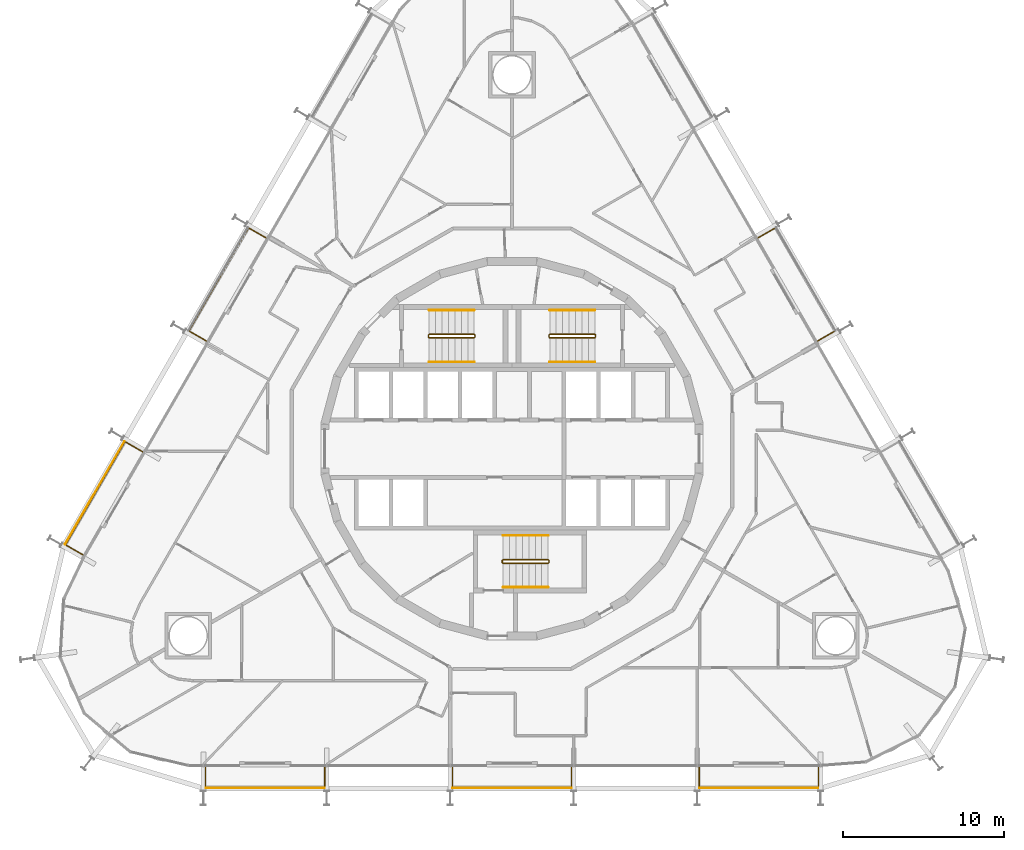
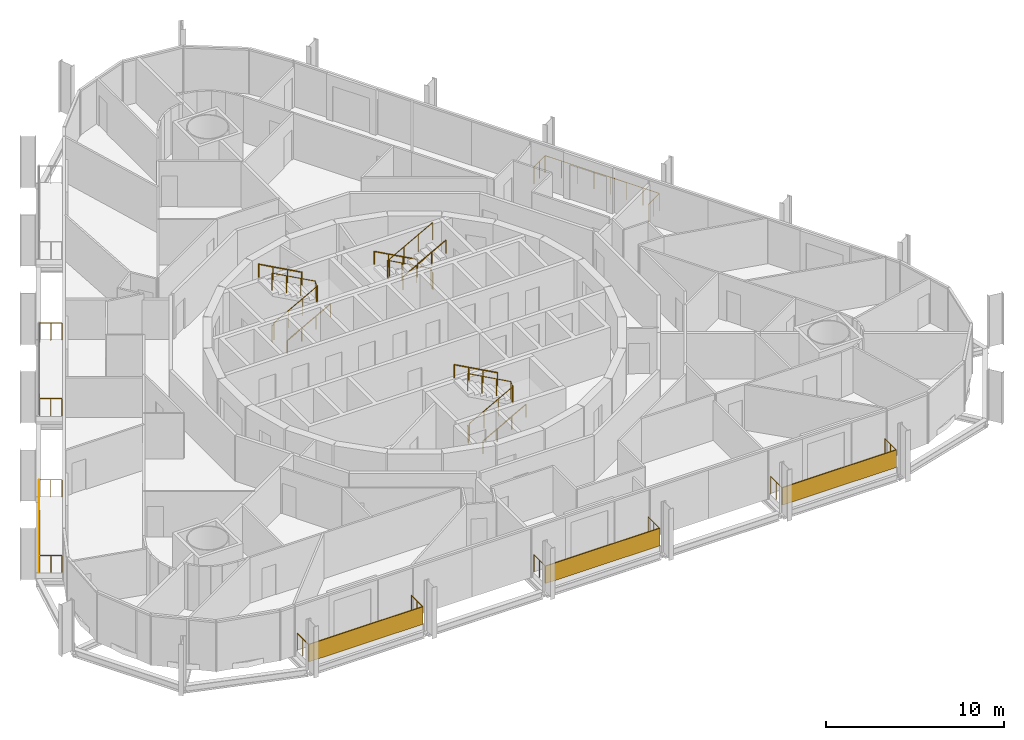
# One storey, part 20 of 21: 15 railings, 4 shading devices.
"""IFC4 building model written with IfcOpenShell, lengths in metres."""

from ifc_helpers import new_model, si_unit, direction, frame, origin, origin_2d, place, context, subcontext, project, spatial, rectangle, circle, extrude, material, layer, layer_set, type_object, element, save


model = new_model("IFC4")

# Units and contexts
model_context = context("Model", 3, precision=1e-05, world=origin(), true_north=direction((0.0, 1.0)))
body_context = subcontext(model_context, "Body", "Model", "MODEL_VIEW")
ifc_project = project(units=[si_unit("LENGTHUNIT", "METRE"), si_unit("AREAUNIT", "SQUARE_METRE"), si_unit("VOLUMEUNIT", "CUBIC_METRE"), si_unit("PLANEANGLEUNIT", "RADIAN"), si_unit("MASSUNIT", "GRAM", prefix="KILO")], contexts=[model_context])

# Site, building, storey
site_placement = place(None, origin())
site = spatial("IfcSite", under=ifc_project, at=site_placement, CompositionType="ELEMENT")
building_placement = place(site_placement, origin())
building = spatial("IfcBuilding", under=site, at=building_placement, Name="Spindle Arch Residences", CompositionType="ELEMENT")
storey_placement = place(building_placement, frame((0.0, 0.0, 48.89990234375)))
storey = spatial("IfcBuildingStorey", under=building, at=storey_placement, Name="L10", CompositionType="ELEMENT", Elevation=48.89990234375)

# Railings
ifc_material_1 = material(Name="Bronze anodised aluminium guard with glass infill", Category="aluminium")
railing_type_1 = type_object("IfcRailingType", Name="Balcony guard 1200", PredefinedType="GUARDRAIL", material=ifc_material_1)
railing_1_placement = place(storey_placement, frame((11.655029296875, -19.81982421875, 0.0)))
element("IfcRailing", 1, at=railing_1_placement, inside=storey, type_object=railing_type_1, Name="Guard L10 bay 2", PredefinedType="GUARDRAIL", context=body_context, shape_type="SweptSolid", body=[
    extrude(circle(Radius=0.02392578125, at=origin_2d()), frame((0.0, 0.0, 1.17578125), z_axis=(0.0, -1.0, 0.0), x_axis=(1.0, 0.0, 0.0)), (0.0, 0.0, 1.0), 1.25),
    extrude(circle(Radius=0.02392578125, at=origin_2d()), frame((0.0, -1.25, 1.17578125), z_axis=(1.0, 0.0, 0.0), x_axis=(0.0, 1.0, 0.0)), (0.0, 0.0, 1.0), 7.41015625),
    extrude(circle(Radius=0.02392578125, at=origin_2d()), frame((7.41015625, -1.25, 1.17578125), z_axis=(0.0, 1.0, 0.0), x_axis=(-1.0, 0.0, 0.0)), (0.0, 0.0, 1.0), 1.25),
    extrude(circle(Radius=0.02099609375, at=origin_2d()), origin(), (0.0, 0.0, 1.0), 1.15185546875),
    extrude(circle(Radius=0.02099609375, at=origin_2d()), frame((0.0, -0.625, 0.0)), (0.0, 0.0, 1.0), 1.15185546875),
    extrude(circle(Radius=0.02099609375, at=origin_2d()), frame((0.0, -1.25, 0.0)), (0.0, 0.0, 1.0), 1.15185546875),
    extrude(circle(Radius=0.02099609375, at=origin_2d()), frame((1.05859375, -1.25, 0.0)), (0.0, 0.0, 1.0), 1.15185546875),
    extrude(circle(Radius=0.02099609375, at=origin_2d()), frame((2.1171875, -1.25, 0.0)), (0.0, 0.0, 1.0), 1.15185546875),
    extrude(circle(Radius=0.02099609375, at=origin_2d()), frame((3.17578125, -1.25, 0.0)), (0.0, 0.0, 1.0), 1.15185546875),
    extrude(circle(Radius=0.02099609375, at=origin_2d()), frame((4.234375, -1.25, 0.0)), (0.0, 0.0, 1.0), 1.15185546875),
    extrude(circle(Radius=0.02099609375, at=origin_2d()), frame((5.29296875, -1.25, 0.0)), (0.0, 0.0, 1.0), 1.15185546875),
    extrude(circle(Radius=0.02099609375, at=origin_2d()), frame((6.3515625, -1.25, 0.0)), (0.0, 0.0, 1.0), 1.15185546875),
    extrude(circle(Radius=0.02099609375, at=origin_2d()), frame((7.41015625, -1.25, 0.0)), (0.0, 0.0, 1.0), 1.15185546875),
    extrude(circle(Radius=0.02099609375, at=origin_2d()), frame((7.41015625, -0.625, 0.0)), (0.0, 0.0, 1.0), 1.15185546875),
    extrude(circle(Radius=0.02099609375, at=origin_2d()), frame((7.41015625, 0.0, 0.0)), (0.0, 0.0, 1.0), 1.15185546875),
])
railing_2_placement = place(storey_placement, frame((19.01708984375, 6.701416015625, 0.0)))
element("IfcRailing", 2, at=railing_2_placement, inside=storey, type_object=railing_type_1, Name="Guard L10 bay 8", PredefinedType="GUARDRAIL", context=body_context, shape_type="SweptSolid", body=[
    extrude(circle(Radius=0.02392578125, at=origin_2d()), frame((0.0, 0.0, 1.17578125), z_axis=(0.866022959057, 0.500004234368, 0.0), x_axis=(-0.500004234368, 0.866022959057, 0.0)), (0.0, 0.0, 1.0), 1.25),
    extrude(circle(Radius=0.02392578125, at=origin_2d()), frame((1.08251953125, 0.625, 1.17578125), z_axis=(-0.500008603535, 0.866020436474, 0.0), x_axis=(-0.866020436474, -0.500008603535, 0.0)), (0.0, 0.0, 1.0), 7.409912109375),
    extrude(circle(Radius=0.02392578125, at=origin_2d()), frame((-2.62255859375, 7.042236328125, 1.17578125), z_axis=(-0.866022959057, -0.500004234368, 0.0), x_axis=(0.500004234368, -0.866022959057, 0.0)), (0.0, 0.0, 1.0), 1.25),
    extrude(circle(Radius=0.02099609375, at=origin_2d()), origin(), (0.0, 0.0, 1.0), 1.15185546875),
    extrude(circle(Radius=0.02099609375, at=origin_2d()), frame((0.541259765625, 0.3125, 0.0)), (0.0, 0.0, 1.0), 1.15185546875),
    extrude(circle(Radius=0.02099609375, at=origin_2d()), frame((1.08251953125, 0.625, 0.0)), (0.0, 0.0, 1.0), 1.15185546875),
    extrude(circle(Radius=0.02099609375, at=origin_2d()), frame((0.55322265625, 1.541748046875, 0.0)), (0.0, 0.0, 1.0), 1.15185546875),
    extrude(circle(Radius=0.02099609375, at=origin_2d()), frame((0.02392578125, 2.45849609375, 0.0)), (0.0, 0.0, 1.0), 1.15185546875),
    extrude(circle(Radius=0.02099609375, at=origin_2d()), frame((-0.50537109375, 3.375244140625, 0.0)), (0.0, 0.0, 1.0), 1.15185546875),
    extrude(circle(Radius=0.02099609375, at=origin_2d()), frame((-1.03466796875, 4.2919921875, 0.0)), (0.0, 0.0, 1.0), 1.15185546875),
    extrude(circle(Radius=0.02099609375, at=origin_2d()), frame((-1.56396484375, 5.208740234375, 0.0)), (0.0, 0.0, 1.0), 1.15185546875),
    extrude(circle(Radius=0.02099609375, at=origin_2d()), frame((-2.09326171875, 6.12548828125, 0.0)), (0.0, 0.0, 1.0), 1.15185546875),
    extrude(circle(Radius=0.02099609375, at=origin_2d()), frame((-2.62255859375, 7.042236328125, 0.0)), (0.0, 0.0, 1.0), 1.15185546875),
    extrude(circle(Radius=0.02099609375, at=origin_2d()), frame((-3.163818359375, 6.729736328125, 0.0)), (0.0, 0.0, 1.0), 1.15185546875),
    extrude(circle(Radius=0.02099609375, at=origin_2d()), frame((-3.705078125, 6.417236328125, 0.0)), (0.0, 0.0, 1.0), 1.15185546875),
])
railing_3_placement = place(storey_placement, frame((-15.31201171875, 13.11865234375, 0.0)))
element("IfcRailing", 3, at=railing_3_placement, inside=storey, type_object=railing_type_1, Name="Guard L10 bay 16", PredefinedType="GUARDRAIL", context=body_context, shape_type="SweptSolid", body=[
    extrude(circle(Radius=0.02392578125, at=origin_2d()), frame((0.0, 0.0, 1.17578125), z_axis=(-0.866022959057, 0.500004234368, 0.0), x_axis=(-0.500004234368, -0.866022959057, 0.0)), (0.0, 0.0, 1.0), 1.25),
    extrude(circle(Radius=0.02392578125, at=origin_2d()), frame((-1.08251953125, 0.625, 1.17578125), z_axis=(-0.500008603535, -0.866020436474, 0.0), x_axis=(0.866020436474, -0.500008603535, 0.0)), (0.0, 0.0, 1.0), 7.409912109375),
    extrude(circle(Radius=0.02392578125, at=origin_2d()), frame((-4.78759765625, -5.792236328125, 1.17578125), z_axis=(0.866022959057, -0.500004234368, 0.0), x_axis=(0.500004234368, 0.866022959057, 0.0)), (0.0, 0.0, 1.0), 1.25),
    extrude(circle(Radius=0.02099609375, at=origin_2d()), origin(), (0.0, 0.0, 1.0), 1.15185546875),
    extrude(circle(Radius=0.02099609375, at=origin_2d()), frame((-0.541259765625, 0.3125, 0.0)), (0.0, 0.0, 1.0), 1.15185546875),
    extrude(circle(Radius=0.02099609375, at=origin_2d()), frame((-1.08251953125, 0.625, 0.0)), (0.0, 0.0, 1.0), 1.15185546875),
    extrude(circle(Radius=0.02099609375, at=origin_2d()), frame((-1.61181640625, -0.291748046875, 0.0)), (0.0, 0.0, 1.0), 1.15185546875),
    extrude(circle(Radius=0.02099609375, at=origin_2d()), frame((-2.14111328125, -1.20849609375, 0.0)), (0.0, 0.0, 1.0), 1.15185546875),
    extrude(circle(Radius=0.02099609375, at=origin_2d()), frame((-2.67041015625, -2.125244140625, 0.0)), (0.0, 0.0, 1.0), 1.15185546875),
    extrude(circle(Radius=0.02099609375, at=origin_2d()), frame((-3.19970703125, -3.0419921875, 0.0)), (0.0, 0.0, 1.0), 1.15185546875),
    extrude(circle(Radius=0.02099609375, at=origin_2d()), frame((-3.72900390625, -3.958740234375, 0.0)), (0.0, 0.0, 1.0), 1.15185546875),
    extrude(circle(Radius=0.02099609375, at=origin_2d()), frame((-4.25830078125, -4.87548828125, 0.0)), (0.0, 0.0, 1.0), 1.15185546875),
    extrude(circle(Radius=0.02099609375, at=origin_2d()), frame((-4.78759765625, -5.792236328125, 0.0)), (0.0, 0.0, 1.0), 1.15185546875),
    extrude(circle(Radius=0.02099609375, at=origin_2d()), frame((-4.246337890625, -6.104736328125, 0.0)), (0.0, 0.0, 1.0), 1.15185546875),
    extrude(circle(Radius=0.02099609375, at=origin_2d()), frame((-3.705078125, -6.417236328125, 0.0)), (0.0, 0.0, 1.0), 1.15185546875),
])
railing_4_placement = place(storey_placement, frame((-22.9921875, -0.18359375, 0.0)))
element("IfcRailing", 4, at=railing_4_placement, inside=storey, type_object=railing_type_1, Name="Guard L10 bay 18", PredefinedType="GUARDRAIL", context=body_context, shape_type="SweptSolid", body=[
    extrude(circle(Radius=0.02392578125, at=origin_2d()), frame((0.0, 0.0, 1.17578125), z_axis=(-0.866022959057, 0.500004234368, 0.0), x_axis=(-0.500004234368, -0.866022959057, 0.0)), (0.0, 0.0, 1.0), 1.25),
    extrude(circle(Radius=0.02392578125, at=origin_2d()), frame((-1.08251953125, 0.625, 1.17578125), z_axis=(-0.499994337101, -0.866028673236, 0.0), x_axis=(0.866028673236, -0.499994337101, 0.0)), (0.0, 0.0, 1.0), 7.41015625),
    extrude(circle(Radius=0.02392578125, at=origin_2d()), frame((-4.78759765625, -5.79248046875, 1.17578125), z_axis=(0.866071776036, -0.499919672301, 0.0), x_axis=(0.499919672301, 0.866071776036, 0.0)), (0.0, 0.0, 1.0), 1.250244140625),
    extrude(circle(Radius=0.02099609375, at=origin_2d()), origin(), (0.0, 0.0, 1.0), 1.15185546875),
    extrude(circle(Radius=0.02099609375, at=origin_2d()), frame((-0.541259765625, 0.3125, 0.0)), (0.0, 0.0, 1.0), 1.15185546875),
    extrude(circle(Radius=0.02099609375, at=origin_2d()), frame((-1.08251953125, 0.625, 0.0)), (0.0, 0.0, 1.0), 1.15185546875),
    extrude(circle(Radius=0.02099609375, at=origin_2d()), frame((-1.61181640625, -0.291748046875, 0.0)), (0.0, 0.0, 1.0), 1.15185546875),
    extrude(circle(Radius=0.02099609375, at=origin_2d()), frame((-2.14111328125, -1.20849609375, 0.0)), (0.0, 0.0, 1.0), 1.15185546875),
    extrude(circle(Radius=0.02099609375, at=origin_2d()), frame((-2.67041015625, -2.125244140625, 0.0)), (0.0, 0.0, 1.0), 1.15185546875),
    extrude(circle(Radius=0.02099609375, at=origin_2d()), frame((-3.19970703125, -3.042236328125, 0.0)), (0.0, 0.0, 1.0), 1.15185546875),
    extrude(circle(Radius=0.02099609375, at=origin_2d()), frame((-3.72900390625, -3.958984375, 0.0)), (0.0, 0.0, 1.0), 1.15185546875),
    extrude(circle(Radius=0.02099609375, at=origin_2d()), frame((-4.25830078125, -4.875732421875, 0.0)), (0.0, 0.0, 1.0), 1.15185546875),
    extrude(circle(Radius=0.02099609375, at=origin_2d()), frame((-4.78759765625, -5.79248046875, 0.0)), (0.0, 0.0, 1.0), 1.15185546875),
    extrude(circle(Radius=0.02099609375, at=origin_2d()), frame((-4.24609375, -6.10498046875, 0.0)), (0.0, 0.0, 1.0), 1.15185546875),
    extrude(circle(Radius=0.02099609375, at=origin_2d()), frame((-3.704833984375, -6.41748046875, 0.0)), (0.0, 0.0, 1.0), 1.15185546875),
])
railing_5_placement = place(storey_placement, frame((-19.065185546875, -19.81982421875, 0.0)))
element("IfcRailing", 5, at=railing_5_placement, inside=storey, type_object=railing_type_1, Name="Guard L10 bay 22", PredefinedType="GUARDRAIL", context=body_context, shape_type="SweptSolid", body=[
    extrude(circle(Radius=0.02392578125, at=origin_2d()), frame((0.0, 0.0, 1.17578125), z_axis=(0.0, -1.0, 0.0), x_axis=(1.0, 0.0, 0.0)), (0.0, 0.0, 1.0), 1.25),
    extrude(circle(Radius=0.02392578125, at=origin_2d()), frame((0.0, -1.25, 1.17578125), z_axis=(1.0, 0.0, 0.0), x_axis=(0.0, 1.0, 0.0)), (0.0, 0.0, 1.0), 7.41015625),
    extrude(circle(Radius=0.02392578125, at=origin_2d()), frame((7.41015625, -1.25, 1.17578125), z_axis=(0.0, 1.0, 0.0), x_axis=(-1.0, 0.0, 0.0)), (0.0, 0.0, 1.0), 1.25),
    extrude(circle(Radius=0.02099609375, at=origin_2d()), origin(), (0.0, 0.0, 1.0), 1.15185546875),
    extrude(circle(Radius=0.02099609375, at=origin_2d()), frame((0.0, -0.625, 0.0)), (0.0, 0.0, 1.0), 1.15185546875),
    extrude(circle(Radius=0.02099609375, at=origin_2d()), frame((0.0, -1.25, 0.0)), (0.0, 0.0, 1.0), 1.15185546875),
    extrude(circle(Radius=0.02099609375, at=origin_2d()), frame((1.05859375, -1.25, 0.0)), (0.0, 0.0, 1.0), 1.15185546875),
    extrude(circle(Radius=0.02099609375, at=origin_2d()), frame((2.1171875, -1.25, 0.0)), (0.0, 0.0, 1.0), 1.15185546875),
    extrude(circle(Radius=0.02099609375, at=origin_2d()), frame((3.17578125, -1.25, 0.0)), (0.0, 0.0, 1.0), 1.15185546875),
    extrude(circle(Radius=0.02099609375, at=origin_2d()), frame((4.234375, -1.25, 0.0)), (0.0, 0.0, 1.0), 1.15185546875),
    extrude(circle(Radius=0.02099609375, at=origin_2d()), frame((5.29296875, -1.25, 0.0)), (0.0, 0.0, 1.0), 1.15185546875),
    extrude(circle(Radius=0.02099609375, at=origin_2d()), frame((6.3515625, -1.25, 0.0)), (0.0, 0.0, 1.0), 1.15185546875),
    extrude(circle(Radius=0.02099609375, at=origin_2d()), frame((7.41015625, -1.25, 0.0)), (0.0, 0.0, 1.0), 1.15185546875),
    extrude(circle(Radius=0.02099609375, at=origin_2d()), frame((7.41015625, -0.625, 0.0)), (0.0, 0.0, 1.0), 1.15185546875),
    extrude(circle(Radius=0.02099609375, at=origin_2d()), frame((7.41015625, 0.0, 0.0)), (0.0, 0.0, 1.0), 1.15185546875),
])
railing_6_placement = place(storey_placement, frame((-3.705078125, -19.81982421875, 0.0)))
element("IfcRailing", 6, at=railing_6_placement, inside=storey, type_object=railing_type_1, Name="Guard L10 bay 24", PredefinedType="GUARDRAIL", context=body_context, shape_type="SweptSolid", body=[
    extrude(circle(Radius=0.02392578125, at=origin_2d()), frame((0.0, 0.0, 1.17578125), z_axis=(0.0, -1.0, 0.0), x_axis=(1.0, 0.0, 0.0)), (0.0, 0.0, 1.0), 1.25),
    extrude(circle(Radius=0.02392578125, at=origin_2d()), frame((0.0, -1.25, 1.17578125), z_axis=(1.0, 0.0, 0.0), x_axis=(0.0, 1.0, 0.0)), (0.0, 0.0, 1.0), 7.41015625),
    extrude(circle(Radius=0.02392578125, at=origin_2d()), frame((7.41015625, -1.25, 1.17578125), z_axis=(0.0, 1.0, 0.0), x_axis=(-1.0, 0.0, 0.0)), (0.0, 0.0, 1.0), 1.25),
    extrude(circle(Radius=0.02099609375, at=origin_2d()), origin(), (0.0, 0.0, 1.0), 1.15185546875),
    extrude(circle(Radius=0.02099609375, at=origin_2d()), frame((0.0, -0.625, 0.0)), (0.0, 0.0, 1.0), 1.15185546875),
    extrude(circle(Radius=0.02099609375, at=origin_2d()), frame((0.0, -1.25, 0.0)), (0.0, 0.0, 1.0), 1.15185546875),
    extrude(circle(Radius=0.02099609375, at=origin_2d()), frame((1.05859375, -1.25, 0.0)), (0.0, 0.0, 1.0), 1.15185546875),
    extrude(circle(Radius=0.02099609375, at=origin_2d()), frame((2.1171875, -1.25, 0.0)), (0.0, 0.0, 1.0), 1.15185546875),
    extrude(circle(Radius=0.02099609375, at=origin_2d()), frame((3.17578125, -1.25, 0.0)), (0.0, 0.0, 1.0), 1.15185546875),
    extrude(circle(Radius=0.02099609375, at=origin_2d()), frame((4.234375, -1.25, 0.0)), (0.0, 0.0, 1.0), 1.15185546875),
    extrude(circle(Radius=0.02099609375, at=origin_2d()), frame((5.29296875, -1.25, 0.0)), (0.0, 0.0, 1.0), 1.15185546875),
    extrude(circle(Radius=0.02099609375, at=origin_2d()), frame((6.3515625, -1.25, 0.0)), (0.0, 0.0, 1.0), 1.15185546875),
    extrude(circle(Radius=0.02099609375, at=origin_2d()), frame((7.41015625, -1.25, 0.0)), (0.0, 0.0, 1.0), 1.15185546875),
    extrude(circle(Radius=0.02099609375, at=origin_2d()), frame((7.41015625, -0.625, 0.0)), (0.0, 0.0, 1.0), 1.15185546875),
    extrude(circle(Radius=0.02099609375, at=origin_2d()), frame((7.41015625, 0.0, 0.0)), (0.0, 0.0, 1.0), 1.15185546875),
])

# Shading devices
ifc_material_2 = material(Name="Bronze perforated cobogo screen")
ifc_layer = layer(ifc_material_2, 0.0390625)
ifc_layer_set = layer_set([ifc_layer], Name="Cobogo screen 1200")
shading_device_type = type_object("IfcShadingDeviceType", Name="Cobogo screen 1200", PredefinedType="USERDEFINED", material=ifc_layer_set)
for number, where, z_axis, x_axis, name in (
    (7, (15.360107421875, -21.1103515625, 0.0), (0.0, 0.0, 1.0), (1.0, 0.0, 0.0), "Cobogo screen L10 bay 2"),
    (8, (-25.962158203125, -2.7470703125, 0.0), (0.0, 0.0, 1.0), (-0.5, -0.866025403784, 0.0), "Cobogo screen L10 bay 18"),
    (9, (-15.360107421875, -21.1103515625, 0.0), (0.0, 0.0, 1.0), (1.0, 0.0, 0.0), "Cobogo screen L10 bay 22"),
    (10, (0.0, -21.1103515625, 0.0), (0.0, 0.0, 1.0), (1.0, 0.0, 0.0), "Cobogo screen L10 bay 24"),
):
    element("IfcShadingDevice", number, at=place(storey_placement, frame(where, z_axis=z_axis, x_axis=x_axis)), inside=storey, type_object=shading_device_type, Name=name, ObjectType="SCREEN", PredefinedType="USERDEFINED", context=body_context, shape_type="SweptSolid", body=[
        extrude(rectangle(XDim=7.41015625, YDim=0.0390625, at=origin_2d()), origin(), (0.0, 0.0, 1.0), 1.199951171875),
    ])

# Railings
ifc_material_3 = material(Name="Steel, painted", Category="steel")
railing_type_2 = type_object("IfcRailingType", Name="Stair guard 1100", PredefinedType="GUARDRAIL", material=ifc_material_3)
railing_7_placement = place(storey_placement, frame((5.14990234375, 6.89990234375, 3.5)))
element("IfcRailing", 11, at=railing_7_placement, inside=storey, type_object=railing_type_2, Name="L10 ST1 stair guard 1", PredefinedType="GUARDRAIL", context=body_context, shape_type="SweptSolid", body=[
    extrude(circle(Radius=0.02392578125, at=origin_2d()), frame((0.0, 0.0, 1.17578125), z_axis=(-0.877357048833, 0.0, -0.479838106931), x_axis=(0.0, -1.0, 0.0)), (0.0, 0.0, 1.0), 3.191162109375),
    extrude(circle(Radius=0.02392578125, at=origin_2d()), frame((-2.7998046875, 0.0, -0.35546875), z_axis=(-0.217683172539, 0.217683172539, -0.951434744366), x_axis=(-0.707106781187, -0.707106781187, 0.0)), (0.0, 0.0, 1.0), 0.22998046875),
    extrude(circle(Radius=0.02392578125, at=origin_2d()), frame((-2.849853515625, 0.050048828125, -0.57421875), z_axis=(0.0, 1.0, 0.0), x_axis=(-1.0, 0.0, 0.0)), (0.0, 0.0, 1.0), 0.1201171875),
    extrude(circle(Radius=0.02392578125, at=origin_2d()), frame((-2.849853515625, 0.170166015625, -0.57421875), z_axis=(0.707106781187, 0.707106781187, 0.0), x_axis=(-0.707106781187, 0.707106781187, 0.0)), (0.0, 0.0, 1.0), 0.07080078125),
    extrude(circle(Radius=0.02392578125, at=origin_2d()), frame((-2.7998046875, 0.22021484375, -0.57421875), z_axis=(0.877357048833, 0.0, -0.479838106931), x_axis=(0.0, 1.0, 0.0)), (0.0, 0.0, 1.0), 3.191162109375),
    extrude(circle(Radius=0.02392578125, at=origin_2d()), frame((0.0, 0.22021484375, -2.10546875), z_axis=(0.217683172539, -0.217683172539, -0.951434744366), x_axis=(0.707106781187, 0.707106781187, 0.0)), (0.0, 0.0, 1.0), 0.22998046875),
    extrude(circle(Radius=0.02392578125, at=origin_2d()), frame((0.050048828125, 0.170166015625, -2.32421875), z_axis=(0.0, -1.0, 0.0), x_axis=(1.0, 0.0, 0.0)), (0.0, 0.0, 1.0), 0.1201171875),
    extrude(circle(Radius=0.02099609375, at=origin_2d()), origin(), (0.0, 0.0, 1.0), 1.15185546875),
    extrude(circle(Radius=0.02099609375, at=origin_2d()), frame((-0.933349609375, 0.0, -0.510498046875)), (0.0, 0.0, 1.0), 1.15185546875),
    extrude(circle(Radius=0.02099609375, at=origin_2d()), frame((-1.866455078125, 0.0, -1.020751953125)), (0.0, 0.0, 1.0), 1.15185546875),
    extrude(circle(Radius=0.02099609375, at=origin_2d()), frame((-2.7998046875, 0.0, -1.53125)), (0.0, 0.0, 1.0), 1.15185546875),
    extrude(circle(Radius=0.02099609375, at=origin_2d()), frame((-2.849853515625, 0.050048828125, -1.75)), (0.0, 0.0, 1.0), 1.15185546875),
    extrude(circle(Radius=0.02099609375, at=origin_2d()), frame((-2.849853515625, 0.170166015625, -1.75)), (0.0, 0.0, 1.0), 1.15185546875),
    extrude(circle(Radius=0.02099609375, at=origin_2d()), frame((-2.7998046875, 0.22021484375, -1.75)), (0.0, 0.0, 1.0), 1.15185546875),
    extrude(circle(Radius=0.02099609375, at=origin_2d()), frame((-1.866455078125, 0.22021484375, -2.260498046875)), (0.0, 0.0, 1.0), 1.15185546875),
    extrude(circle(Radius=0.02099609375, at=origin_2d()), frame((-0.933349609375, 0.22021484375, -2.770751953125)), (0.0, 0.0, 1.0), 1.15185546875),
    extrude(circle(Radius=0.02099609375, at=origin_2d()), frame((0.0, 0.22021484375, -3.28125)), (0.0, 0.0, 1.0), 1.15185546875),
    extrude(circle(Radius=0.02099609375, at=origin_2d()), frame((0.050048828125, 0.170166015625, -3.5)), (0.0, 0.0, 1.0), 1.15185546875),
    extrude(circle(Radius=0.02099609375, at=origin_2d()), frame((0.050048828125, 0.050048828125, -3.5)), (0.0, 0.0, 1.0), 1.15185546875),
])
railing_8_placement = place(storey_placement, frame((-5.14990234375, 7.1201171875, 3.5)))
element("IfcRailing", 12, at=railing_8_placement, inside=storey, type_object=railing_type_2, Name="L10 ST2 stair guard 1", PredefinedType="GUARDRAIL", context=body_context, shape_type="SweptSolid", body=[
    extrude(circle(Radius=0.02392578125, at=origin_2d()), frame((0.0, 0.0, 1.17578125), z_axis=(0.877357048833, 0.0, -0.479838106931), x_axis=(0.0, 1.0, 0.0)), (0.0, 0.0, 1.0), 3.191162109375),
    extrude(circle(Radius=0.02392578125, at=origin_2d()), frame((2.7998046875, 0.0, -0.35546875), z_axis=(0.217683172539, -0.217683172539, -0.951434744366), x_axis=(0.707106781187, 0.707106781187, 0.0)), (0.0, 0.0, 1.0), 0.22998046875),
    extrude(circle(Radius=0.02392578125, at=origin_2d()), frame((2.849853515625, -0.050048828125, -0.57421875), z_axis=(0.0, -1.0, 0.0), x_axis=(1.0, 0.0, 0.0)), (0.0, 0.0, 1.0), 0.1201171875),
    extrude(circle(Radius=0.02392578125, at=origin_2d()), frame((2.849853515625, -0.170166015625, -0.57421875), z_axis=(-0.707106781187, -0.707106781187, 0.0), x_axis=(0.707106781187, -0.707106781187, 0.0)), (0.0, 0.0, 1.0), 0.07080078125),
    extrude(circle(Radius=0.02392578125, at=origin_2d()), frame((2.7998046875, -0.22021484375, -0.57421875), z_axis=(-0.877357048833, 0.0, -0.479838106931), x_axis=(0.0, -1.0, 0.0)), (0.0, 0.0, 1.0), 3.191162109375),
    extrude(circle(Radius=0.02392578125, at=origin_2d()), frame((0.0, -0.22021484375, -2.10546875), z_axis=(-0.217683172539, 0.217683172539, -0.951434744366), x_axis=(-0.707106781187, -0.707106781187, 0.0)), (0.0, 0.0, 1.0), 0.22998046875),
    extrude(circle(Radius=0.02392578125, at=origin_2d()), frame((-0.050048828125, -0.170166015625, -2.32421875), z_axis=(0.0, 1.0, 0.0), x_axis=(-1.0, 0.0, 0.0)), (0.0, 0.0, 1.0), 0.1201171875),
    extrude(circle(Radius=0.02099609375, at=origin_2d()), origin(), (0.0, 0.0, 1.0), 1.15185546875),
    extrude(circle(Radius=0.02099609375, at=origin_2d()), frame((0.933349609375, 0.0, -0.510498046875)), (0.0, 0.0, 1.0), 1.15185546875),
    extrude(circle(Radius=0.02099609375, at=origin_2d()), frame((1.866455078125, 0.0, -1.020751953125)), (0.0, 0.0, 1.0), 1.15185546875),
    extrude(circle(Radius=0.02099609375, at=origin_2d()), frame((2.7998046875, 0.0, -1.53125)), (0.0, 0.0, 1.0), 1.15185546875),
    extrude(circle(Radius=0.02099609375, at=origin_2d()), frame((2.849853515625, -0.050048828125, -1.75)), (0.0, 0.0, 1.0), 1.15185546875),
    extrude(circle(Radius=0.02099609375, at=origin_2d()), frame((2.849853515625, -0.170166015625, -1.75)), (0.0, 0.0, 1.0), 1.15185546875),
    extrude(circle(Radius=0.02099609375, at=origin_2d()), frame((2.7998046875, -0.22021484375, -1.75)), (0.0, 0.0, 1.0), 1.15185546875),
    extrude(circle(Radius=0.02099609375, at=origin_2d()), frame((1.866455078125, -0.22021484375, -2.260498046875)), (0.0, 0.0, 1.0), 1.15185546875),
    extrude(circle(Radius=0.02099609375, at=origin_2d()), frame((0.933349609375, -0.22021484375, -2.770751953125)), (0.0, 0.0, 1.0), 1.15185546875),
    extrude(circle(Radius=0.02099609375, at=origin_2d()), frame((0.0, -0.22021484375, -3.28125)), (0.0, 0.0, 1.0), 1.15185546875),
    extrude(circle(Radius=0.02099609375, at=origin_2d()), frame((-0.050048828125, -0.170166015625, -3.5)), (0.0, 0.0, 1.0), 1.15185546875),
    extrude(circle(Radius=0.02099609375, at=origin_2d()), frame((-0.050048828125, -0.050048828125, -3.5)), (0.0, 0.0, 1.0), 1.15185546875),
])
railing_9_placement = place(storey_placement, frame((-0.550048828125, -6.89990234375, 3.5)))
element("IfcRailing", 13, at=railing_9_placement, inside=storey, type_object=railing_type_2, Name="L10 ST3 stair guard 1", PredefinedType="GUARDRAIL", context=body_context, shape_type="SweptSolid", body=[
    extrude(circle(Radius=0.02392578125, at=origin_2d()), frame((0.0, 0.0, 1.17578125), z_axis=(0.877374661878, 0.0, -0.479805901063), x_axis=(0.0, 1.0, 0.0)), (0.0, 0.0, 1.0), 3.19140625),
    extrude(circle(Radius=0.02392578125, at=origin_2d()), frame((2.800048828125, 0.0, -0.35546875), z_axis=(0.217683172539, -0.217683172539, -0.951434744366), x_axis=(0.707106781187, 0.707106781187, 0.0)), (0.0, 0.0, 1.0), 0.22998046875),
    extrude(circle(Radius=0.02392578125, at=origin_2d()), frame((2.85009765625, -0.050048828125, -0.57421875), z_axis=(0.0, -1.0, 0.0), x_axis=(1.0, 0.0, 0.0)), (0.0, 0.0, 1.0), 0.1201171875),
    extrude(circle(Radius=0.02392578125, at=origin_2d()), frame((2.85009765625, -0.170166015625, -0.57421875), z_axis=(-0.707106781187, -0.707106781187, 0.0), x_axis=(0.707106781187, -0.707106781187, 0.0)), (0.0, 0.0, 1.0), 0.07080078125),
    extrude(circle(Radius=0.02392578125, at=origin_2d()), frame((2.800048828125, -0.22021484375, -0.57421875), z_axis=(-0.877374661878, 0.0, -0.479805901063), x_axis=(0.0, -1.0, 0.0)), (0.0, 0.0, 1.0), 3.19140625),
    extrude(circle(Radius=0.02392578125, at=origin_2d()), frame((0.0, -0.22021484375, -2.10546875), z_axis=(-0.217683172539, 0.217683172539, -0.951434744366), x_axis=(-0.707106781187, -0.707106781187, 0.0)), (0.0, 0.0, 1.0), 0.22998046875),
    extrude(circle(Radius=0.02392578125, at=origin_2d()), frame((-0.050048828125, -0.170166015625, -2.32421875), z_axis=(0.0, 1.0, 0.0), x_axis=(-1.0, 0.0, 0.0)), (0.0, 0.0, 1.0), 0.1201171875),
    extrude(circle(Radius=0.02099609375, at=origin_2d()), origin(), (0.0, 0.0, 1.0), 1.15185546875),
    extrude(circle(Radius=0.02099609375, at=origin_2d()), frame((0.933349609375, 0.0, -0.510498046875)), (0.0, 0.0, 1.0), 1.15185546875),
    extrude(circle(Radius=0.02099609375, at=origin_2d()), frame((1.86669921875, 0.0, -1.020751953125)), (0.0, 0.0, 1.0), 1.15185546875),
    extrude(circle(Radius=0.02099609375, at=origin_2d()), frame((2.800048828125, 0.0, -1.53125)), (0.0, 0.0, 1.0), 1.15185546875),
    extrude(circle(Radius=0.02099609375, at=origin_2d()), frame((2.85009765625, -0.050048828125, -1.75)), (0.0, 0.0, 1.0), 1.15185546875),
    extrude(circle(Radius=0.02099609375, at=origin_2d()), frame((2.85009765625, -0.170166015625, -1.75)), (0.0, 0.0, 1.0), 1.15185546875),
    extrude(circle(Radius=0.02099609375, at=origin_2d()), frame((2.800048828125, -0.22021484375, -1.75)), (0.0, 0.0, 1.0), 1.15185546875),
    extrude(circle(Radius=0.02099609375, at=origin_2d()), frame((1.86669921875, -0.22021484375, -2.260498046875)), (0.0, 0.0, 1.0), 1.15185546875),
    extrude(circle(Radius=0.02099609375, at=origin_2d()), frame((0.933349609375, -0.22021484375, -2.770751953125)), (0.0, 0.0, 1.0), 1.15185546875),
    extrude(circle(Radius=0.02099609375, at=origin_2d()), frame((0.0, -0.22021484375, -3.28125)), (0.0, 0.0, 1.0), 1.15185546875),
    extrude(circle(Radius=0.02099609375, at=origin_2d()), frame((-0.050048828125, -0.170166015625, -3.5)), (0.0, 0.0, 1.0), 1.15185546875),
    extrude(circle(Radius=0.02099609375, at=origin_2d()), frame((-0.050048828125, -0.050048828125, -3.5)), (0.0, 0.0, 1.0), 1.15185546875),
])
ifc_material_4 = material(Name="Steel, painted", Category="steel")
railing_type_3 = type_object("IfcRailingType", Name="Stair handrail 900", PredefinedType="HANDRAIL", material=ifc_material_4)
railing_10_placement = place(storey_placement, frame((5.14990234375, 8.6201171875, 0.21875)))
element("IfcRailing", 14, at=railing_10_placement, inside=storey, type_object=railing_type_3, Name="L10 ST1 stair handrail 1", PredefinedType="HANDRAIL", context=body_context, shape_type="SweptSolid", body=[
    extrude(circle(Radius=0.02392578125, at=origin_2d()), frame((0.0, 0.0, 0.8759765625), z_axis=(-0.877357048833, 0.0, 0.479838106931), x_axis=(0.0, -1.0, 0.0)), (0.0, 0.0, 1.0), 3.191162109375),
    extrude(circle(Radius=0.02099609375, at=origin_2d()), origin(), (0.0, 0.0, 1.0), 0.851806640625),
    extrude(circle(Radius=0.02099609375, at=origin_2d()), frame((-0.933349609375, 0.0, 0.510498046875)), (0.0, 0.0, 1.0), 0.851806640625),
    extrude(circle(Radius=0.02099609375, at=origin_2d()), frame((-1.866455078125, 0.0, 1.020751953125)), (0.0, 0.0, 1.0), 0.851806640625),
    extrude(circle(Radius=0.02099609375, at=origin_2d()), frame((-2.7998046875, 0.0, 1.53125)), (0.0, 0.0, 1.0), 0.851806640625),
])
for number, where, name in (
    (15, (2.35009765625, 5.39990234375, 1.96875), "L10 ST1 stair handrail 2"),
    (16, (-5.14990234375, 5.39990234375, 0.21875), "L10 ST2 stair handrail 1"),
):
    element("IfcRailing", number, at=place(storey_placement, frame(where)), inside=storey, type_object=railing_type_3, Name=name, PredefinedType="HANDRAIL", context=body_context, shape_type="SweptSolid", body=[
        extrude(circle(Radius=0.02392578125, at=origin_2d()), frame((0.0, 0.0, 0.8759765625), z_axis=(0.877357048833, 0.0, 0.479838106931), x_axis=(0.0, 1.0, 0.0)), (0.0, 0.0, 1.0), 3.191162109375),
        extrude(circle(Radius=0.02099609375, at=origin_2d()), origin(), (0.0, 0.0, 1.0), 0.851806640625),
        extrude(circle(Radius=0.02099609375, at=origin_2d()), frame((0.933349609375, 0.0, 0.510498046875)), (0.0, 0.0, 1.0), 0.851806640625),
        extrude(circle(Radius=0.02099609375, at=origin_2d()), frame((1.866455078125, 0.0, 1.020751953125)), (0.0, 0.0, 1.0), 0.851806640625),
        extrude(circle(Radius=0.02099609375, at=origin_2d()), frame((2.7998046875, 0.0, 1.53125)), (0.0, 0.0, 1.0), 0.851806640625),
    ])
railing_11_placement = place(storey_placement, frame((-2.35009765625, 8.6201171875, 1.96875)))
element("IfcRailing", 17, at=railing_11_placement, inside=storey, type_object=railing_type_3, Name="L10 ST2 stair handrail 2", PredefinedType="HANDRAIL", context=body_context, shape_type="SweptSolid", body=[
    extrude(circle(Radius=0.02392578125, at=origin_2d()), frame((0.0, 0.0, 0.8759765625), z_axis=(-0.877357048833, 0.0, 0.479838106931), x_axis=(0.0, -1.0, 0.0)), (0.0, 0.0, 1.0), 3.191162109375),
    extrude(circle(Radius=0.02099609375, at=origin_2d()), origin(), (0.0, 0.0, 1.0), 0.851806640625),
    extrude(circle(Radius=0.02099609375, at=origin_2d()), frame((-0.933349609375, 0.0, 0.510498046875)), (0.0, 0.0, 1.0), 0.851806640625),
    extrude(circle(Radius=0.02099609375, at=origin_2d()), frame((-1.866455078125, 0.0, 1.020751953125)), (0.0, 0.0, 1.0), 0.851806640625),
    extrude(circle(Radius=0.02099609375, at=origin_2d()), frame((-2.7998046875, 0.0, 1.53125)), (0.0, 0.0, 1.0), 0.851806640625),
])
railing_12_placement = place(storey_placement, frame((-0.550048828125, -8.6201171875, 0.21875)))
element("IfcRailing", 18, at=railing_12_placement, inside=storey, type_object=railing_type_3, Name="L10 ST3 stair handrail 1", PredefinedType="HANDRAIL", context=body_context, shape_type="SweptSolid", body=[
    extrude(circle(Radius=0.02392578125, at=origin_2d()), frame((0.0, 0.0, 0.8759765625), z_axis=(0.877374661878, 0.0, 0.479805901063), x_axis=(0.0, 1.0, 0.0)), (0.0, 0.0, 1.0), 3.19140625),
    extrude(circle(Radius=0.02099609375, at=origin_2d()), origin(), (0.0, 0.0, 1.0), 0.851806640625),
    extrude(circle(Radius=0.02099609375, at=origin_2d()), frame((0.933349609375, 0.0, 0.510498046875)), (0.0, 0.0, 1.0), 0.851806640625),
    extrude(circle(Radius=0.02099609375, at=origin_2d()), frame((1.86669921875, 0.0, 1.020751953125)), (0.0, 0.0, 1.0), 0.851806640625),
    extrude(circle(Radius=0.02099609375, at=origin_2d()), frame((2.800048828125, 0.0, 1.53125)), (0.0, 0.0, 1.0), 0.851806640625),
])
railing_13_placement = place(storey_placement, frame((2.25, -5.39990234375, 1.96875)))
element("IfcRailing", 19, at=railing_13_placement, inside=storey, type_object=railing_type_3, Name="L10 ST3 stair handrail 2", PredefinedType="HANDRAIL", context=body_context, shape_type="SweptSolid", body=[
    extrude(circle(Radius=0.02392578125, at=origin_2d()), frame((0.0, 0.0, 0.8759765625), z_axis=(-0.877374661878, 0.0, 0.479805901063), x_axis=(0.0, -1.0, 0.0)), (0.0, 0.0, 1.0), 3.19140625),
    extrude(circle(Radius=0.02099609375, at=origin_2d()), origin(), (0.0, 0.0, 1.0), 0.851806640625),
    extrude(circle(Radius=0.02099609375, at=origin_2d()), frame((-0.933349609375, 0.0, 0.510498046875)), (0.0, 0.0, 1.0), 0.851806640625),
    extrude(circle(Radius=0.02099609375, at=origin_2d()), frame((-1.86669921875, 0.0, 1.020751953125)), (0.0, 0.0, 1.0), 0.851806640625),
    extrude(circle(Radius=0.02099609375, at=origin_2d()), frame((-2.800048828125, 0.0, 1.53125)), (0.0, 0.0, 1.0), 0.851806640625),
])

save(model, "model.ifc")
